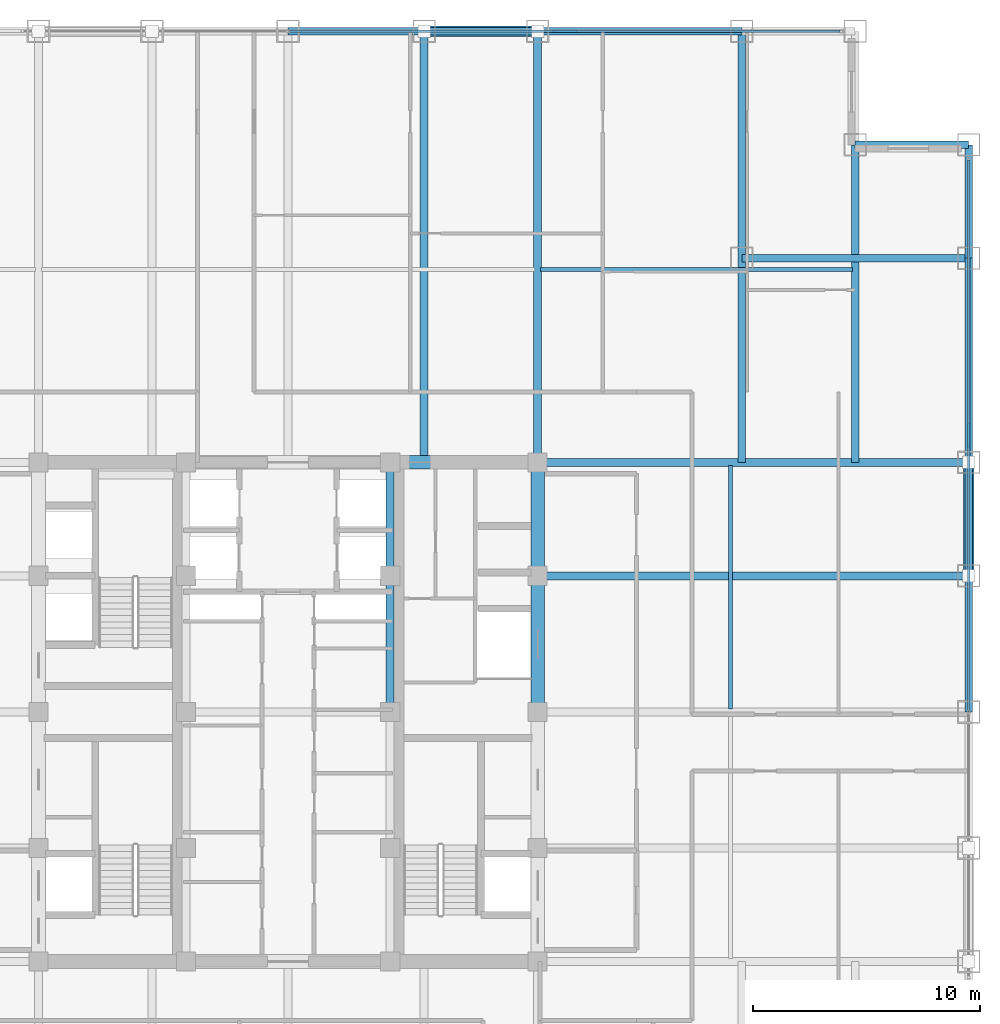
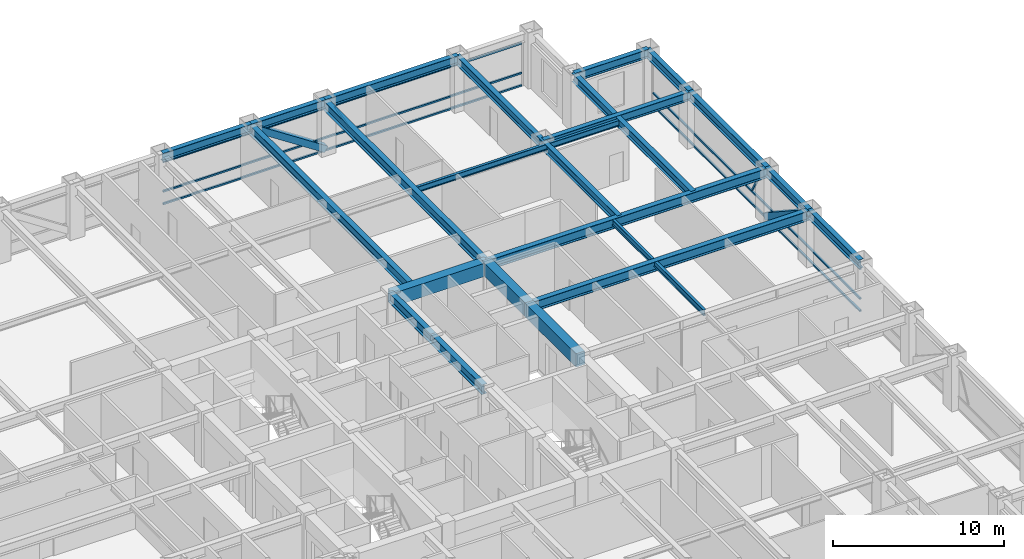
# One storey, part 17 of 25: 22 beams, 10 members, 2 elements without a shape of their own.
"""IFC4 building model written with IfcOpenShell, lengths in metres."""

from ifc_helpers import new_model, si_unit, direction, frame, origin, origin_2d, place, context, subcontext, project, spatial, rectangle, hollow_rectangle, i_section, extrude, source, transform, mapped, material, material_profile, profile_set, type_object, element, aggregate, save


model = new_model("IFC4")

# Units and contexts
model_context = context("Model", 3, precision=1e-05, world=origin(), true_north=direction((0.0, 1.0)))
body_context = subcontext(model_context, "Body", "Model", "MODEL_VIEW")
ifc_project = project(units=[si_unit("LENGTHUNIT", "METRE"), si_unit("AREAUNIT", "SQUARE_METRE"), si_unit("VOLUMEUNIT", "CUBIC_METRE"), si_unit("PLANEANGLEUNIT", "RADIAN"), si_unit("MASSUNIT", "GRAM", prefix="KILO")], contexts=[model_context])

# Site, building, storey
site_placement = place(None, origin())
site = spatial("IfcSite", under=ifc_project, at=site_placement, CompositionType="ELEMENT")
building_placement = place(site_placement, origin())
building = spatial("IfcBuilding", under=site, at=building_placement, Name="Khorayat Bourse Tower", CompositionType="ELEMENT")
storey_placement = place(building_placement, frame((0.0, 0.0, 255.10009765625)))
storey = spatial("IfcBuildingStorey", under=building, at=storey_placement, Name="L60", CompositionType="ELEMENT", Elevation=255.10009765625)

# Beams
ifc_material_1 = material(Name="Steel ASTM A992 Grade 50", Category="steel")
ifc_material_profile_1 = material_profile(ifc_material_1, i_section(OverallWidth=0.35498046875, OverallDepth=0.695068359375, WebThickness=0.015380859375, FlangeThickness=0.02490234375, FilletRadius=0.01806640625, at=origin_2d()), Name="W690X217")
ifc_profile_set_1 = profile_set([ifc_material_profile_1], Name="Steel ASTM A992 Grade 50")
beam_type_1 = type_object("IfcBeamType", Name="BM-GIRD-690", PredefinedType="BEAM", material=ifc_profile_set_1)
shared_shape_1 = source(origin(), body_context, "Body", "SweptSolid", [
    extrude(i_section(OverallWidth=0.35498046875, OverallDepth=0.695068359375, WebThickness=0.015380859375, FlangeThickness=0.02490234375, FilletRadius=0.01806640625, at=origin_2d()), origin(), (0.0, 0.0, 1.0), 5.0),
])
beam_1_placement = place(storey_placement, frame((4.5, 6.0, 3.432373046875), z_axis=(0.0, 1.0, 0.0), x_axis=(-1.0, 0.0, 0.0)))
element("IfcBeam", 1, at=beam_1_placement, inside=storey, type_object=beam_type_1, Name="L60 BM-GIRD-690 BM-L60-CRX-12", PredefinedType="BEAM", context=body_context, shape_type="MappedRepresentation", body=[
    mapped(shared_shape_1, transform((0.0, 0.0, 0.0), scale=1.0)),
])
shared_shape_2 = source(origin(), body_context, "Body", "SweptSolid", [
    extrude(i_section(OverallWidth=0.35498046875, OverallDepth=0.695068359375, WebThickness=0.015380859375, FlangeThickness=0.02490234375, FilletRadius=0.01806640625, at=origin_2d()), origin(), (0.0, 0.0, 1.0), 6.0),
])
beam_2_placement = place(storey_placement, frame((4.5, 0.0, 3.432373046875), z_axis=(0.0, 1.0, 0.0), x_axis=(-1.0, 0.0, 0.0)))
element("IfcBeam", 2, at=beam_2_placement, inside=storey, type_object=beam_type_1, Name="L60 BM-GIRD-690 BM-L60-CRX-11", PredefinedType="BEAM", context=body_context, shape_type="MappedRepresentation", body=[
    mapped(shared_shape_2, transform((0.0, 0.0, 0.0), scale=1.0)),
])
ifc_material_profile_2 = material_profile(ifc_material_1, i_section(OverallWidth=0.324951171875, OverallDepth=0.615966796875, WebThickness=0.013916015625, FlangeThickness=0.021484375, FilletRadius=0.01611328125, at=origin_2d()), Name="W610X174")
ifc_profile_set_2 = profile_set([ifc_material_profile_2], Name="Steel ASTM A992 Grade 50")
beam_type_2 = type_object("IfcBeamType", Name="BM-GIRD-610", PredefinedType="BEAM", material=ifc_profile_set_2)
shared_shape_3 = source(origin(), body_context, "Body", "SweptSolid", [
    extrude(i_section(OverallWidth=0.324951171875, OverallDepth=0.615966796875, WebThickness=0.013916015625, FlangeThickness=0.021484375, FilletRadius=0.01611328125, at=origin_2d()), origin(), (0.0, 0.0, 1.0), 19.0),
])
beam_3_placement = place(storey_placement, frame((20.0, 11.0, 3.471923828125), z_axis=(0.0, 1.0, 0.0), x_axis=(-1.0, 0.0, 0.0)))
element("IfcBeam", 3, at=beam_3_placement, inside=storey, type_object=beam_type_2, Name="L60 BM-GIRD-610 BM-L60-CNRY-087", PredefinedType="BEAM", context=body_context, shape_type="MappedRepresentation", body=[
    mapped(shared_shape_3, transform((0.0, 0.0, 0.0), scale=1.0)),
])
shared_shape_4 = source(origin(), body_context, "Body", "SweptSolid", [
    extrude(i_section(OverallWidth=0.324951171875, OverallDepth=0.615966796875, WebThickness=0.013916015625, FlangeThickness=0.021484375, FilletRadius=0.01611328125, at=origin_2d()), origin(), (0.0, 0.0, 1.0), 10.0),
])
beam_4_placement = place(storey_placement, frame((20.0, 20.0, 3.471923828125), z_axis=(1.0, 0.0, 0.0), x_axis=(0.0, 1.0, 0.0)))
element("IfcBeam", 4, at=beam_4_placement, inside=storey, type_object=beam_type_2, Name="L60 BM-GIRD-610 BM-L60-CNRX-094", PredefinedType="BEAM", context=body_context, shape_type="MappedRepresentation", body=[
    mapped(shared_shape_4, transform((0.0, 0.0, 0.0), scale=1.0)),
])
ifc_material_profile_3 = material_profile(ifc_material_1, i_section(OverallWidth=0.180908203125, OverallDepth=0.4169921875, WebThickness=0.010986328125, FlangeThickness=0.018310546875, FilletRadius=0.011962890625, at=origin_2d()), Name="W410X85")
ifc_profile_set_3 = profile_set([ifc_material_profile_3], Name="Steel ASTM A992 Grade 50")
beam_type_3 = type_object("IfcBeamType", Name="BM-JOIST-410", PredefinedType="JOIST", material=ifc_profile_set_3)
shared_shape_5 = source(origin(), body_context, "Body", "SweptSolid", [
    extrude(i_section(OverallWidth=0.180908203125, OverallDepth=0.4169921875, WebThickness=0.010986328125, FlangeThickness=0.018310546875, FilletRadius=0.011962890625, at=origin_2d()), origin(), (0.0, 0.0, 1.0), 10.740234375),
])
beam_5_placement = place(storey_placement, frame((19.5, 0.1298828125, 3.5712890625), z_axis=(0.0, 1.0, 0.0), x_axis=(-1.0, 0.0, 0.0)))
element("IfcBeam", 5, at=beam_5_placement, inside=storey, type_object=beam_type_3, Name="L60 BM-JOIST-410 BM-L60-JSTY-105", PredefinedType="JOIST", context=body_context, shape_type="MappedRepresentation", body=[
    mapped(shared_shape_5, transform((0.0, 0.0, 0.0), scale=1.0)),
])
ifc_material_profile_4 = material_profile(ifc_material_1, i_section(OverallWidth=0.324951171875, OverallDepth=0.615966796875, WebThickness=0.013916015625, FlangeThickness=0.021484375, FilletRadius=0.01611328125, at=origin_2d()), Name="W610X174")
ifc_profile_set_4 = profile_set([ifc_material_profile_4], Name="Steel ASTM A992 Grade 50")
beam_type_4 = type_object("IfcBeamType", Name="BM-SPAN-610", PredefinedType="SPANDREL", material=ifc_profile_set_4)
shared_shape_6 = source(origin(), body_context, "Body", "SweptSolid", [
    extrude(i_section(OverallWidth=0.324951171875, OverallDepth=0.615966796875, WebThickness=0.013916015625, FlangeThickness=0.021484375, FilletRadius=0.01611328125, at=origin_2d()), origin(), (0.0, 0.0, 1.0), 9.0),
])
for number, where, z_axis, x_axis, name in (
    (6, (30.0, 11.0, 3.471923828125), (0.0, 1.0, 0.0), (-1.0, 0.0, 0.0), "L60 BM-SPAN-610 BM-L60-SPN-040"),
    (7, (11.0, 30.0, 3.471923828125), (1.0, 0.0, 0.0), (0.0, 1.0, 0.0), "L60 BM-SPAN-610 BM-L60-SPN-045"),
):
    element("IfcBeam", number, at=place(storey_placement, frame(where, z_axis=z_axis, x_axis=x_axis)), inside=storey, type_object=beam_type_4, Name=name, PredefinedType="SPANDREL", context=body_context, shape_type="MappedRepresentation", body=[
        mapped(shared_shape_6, transform((0.0, 0.0, 0.0), scale=1.0)),
    ])
shared_shape_7 = source(origin(), body_context, "Body", "SweptSolid", [
    extrude(i_section(OverallWidth=0.324951171875, OverallDepth=0.615966796875, WebThickness=0.013916015625, FlangeThickness=0.021484375, FilletRadius=0.01611328125, at=origin_2d()), origin(), (0.0, 0.0, 1.0), 5.0),
])
for number, where, z_axis, x_axis, name in (
    (8, (30.0, 6.0, 3.471923828125), (0.0, 1.0, 0.0), (-1.0, 0.0, 0.0), "L60 BM-SPAN-610 BM-L60-SPN-039"),
    (9, (30.0, 20.0, 3.471923828125), (0.0, 1.0, 0.0), (-1.0, 0.0, 0.0), "L60 BM-SPAN-610 BM-L60-SPN-041"),
    (10, (25.0, 25.0, 3.471923828125), (1.0, 0.0, 0.0), (0.0, 1.0, 0.0), "L60 BM-SPAN-610 BM-L60-SPN-042"),
    (11, (6.0, 30.0, 3.471923828125), (1.0, 0.0, 0.0), (0.0, 1.0, 0.0), "L60 BM-SPAN-610 BM-L60-SPN-046"),
):
    element("IfcBeam", number, at=place(storey_placement, frame(where, z_axis=z_axis, x_axis=x_axis)), inside=storey, type_object=beam_type_4, Name=name, PredefinedType="SPANDREL", context=body_context, shape_type="MappedRepresentation", body=[
        mapped(shared_shape_7, transform((0.0, 0.0, 0.0), scale=1.0)),
    ])
shared_shape_8 = source(origin(), body_context, "Body", "SweptSolid", [
    extrude(i_section(OverallWidth=0.324951171875, OverallDepth=0.615966796875, WebThickness=0.013916015625, FlangeThickness=0.021484375, FilletRadius=0.01611328125, at=origin_2d()), origin(), (0.0, 0.0, 1.0), 6.0),
])
for number, where, z_axis, x_axis, name in (
    (12, (30.0, 0.0, 3.471923828125), (0.0, 1.0, 0.0), (-1.0, 0.0, 0.0), "L60 BM-SPAN-610 BM-L60-SPN-038"),
    (13, (0.0, 30.0, 3.471923828125), (1.0, 0.0, 0.0), (0.0, 1.0, 0.0), "L60 BM-SPAN-610 BM-L60-SPN-047"),
):
    element("IfcBeam", number, at=place(storey_placement, frame(where, z_axis=z_axis, x_axis=x_axis)), inside=storey, type_object=beam_type_4, Name=name, PredefinedType="SPANDREL", context=body_context, shape_type="MappedRepresentation", body=[
        mapped(shared_shape_8, transform((0.0, 0.0, 0.0), scale=1.0)),
    ])
ifc_material_2 = material(Name="Concrete C60/75", Category="concrete")
ifc_material_profile_5 = material_profile(ifc_material_2, rectangle(XDim=0.60009765625, YDim=0.949951171875, at=origin_2d()), Name="RC 600x950")
ifc_profile_set_5 = profile_set([ifc_material_profile_5], Name="Concrete C60/75")
beam_type_5 = type_object("IfcBeamType", Name="BM-COUP-950", PredefinedType="BEAM", material=ifc_profile_set_5)
shared_shape_9 = source(origin(), body_context, "Body", "SweptSolid", [
    extrude(rectangle(XDim=0.60009765625, YDim=0.949951171875, at=origin_2d()), origin(), (0.0, 0.0, 1.0), 5.0),
])
beam_6_placement = place(storey_placement, frame((11.0, 6.0, 3.304931640625), z_axis=(0.0, 1.0, 0.0), x_axis=(-1.0, 0.0, 0.0)))
element("IfcBeam", 14, at=beam_6_placement, inside=storey, type_object=beam_type_5, Name="L60 BM-COUP-950 BM-L60-CRX-16", PredefinedType="BEAM", context=body_context, shape_type="MappedRepresentation", body=[
    mapped(shared_shape_9, transform((0.0, 0.0, 0.0), scale=1.0)),
])
shared_shape_10 = source(origin(), body_context, "Body", "SweptSolid", [
    extrude(rectangle(XDim=0.60009765625, YDim=0.949951171875, at=origin_2d()), origin(), (0.0, 0.0, 1.0), 6.0),
])
beam_7_placement = place(storey_placement, frame((11.0, 0.0, 3.304931640625), z_axis=(0.0, 1.0, 0.0), x_axis=(-1.0, 0.0, 0.0)))
element("IfcBeam", 15, at=beam_7_placement, inside=storey, type_object=beam_type_5, Name="L60 BM-COUP-950 BM-L60-CRX-15", PredefinedType="BEAM", context=body_context, shape_type="MappedRepresentation", body=[
    mapped(shared_shape_10, transform((0.0, 0.0, 0.0), scale=1.0)),
])
shared_shape_11 = source(origin(), body_context, "Body", "SweptSolid", [
    extrude(rectangle(XDim=0.60009765625, YDim=0.949951171875, at=origin_2d()), origin(), (0.0, 0.0, 1.0), 6.5),
])
beam_8_placement = place(storey_placement, frame((4.5, 11.0, 3.304931640625), z_axis=(1.0, 0.0, 0.0), x_axis=(0.0, 1.0, 0.0)))
element("IfcBeam", 16, at=beam_8_placement, inside=storey, type_object=beam_type_5, Name="L60 BM-COUP-950 BM-L60-CRY-22", PredefinedType="BEAM", context=body_context, shape_type="MappedRepresentation", body=[
    mapped(shared_shape_11, transform((0.0, 0.0, 0.0), scale=1.0)),
])
shared_shape_12 = source(origin(), body_context, "Body", "SweptSolid", [
    extrude(i_section(OverallWidth=0.35498046875, OverallDepth=0.695068359375, WebThickness=0.015380859375, FlangeThickness=0.02490234375, FilletRadius=0.01806640625, at=origin_2d()), origin(), (0.0, 0.0, 1.0), 19.0),
])
for number, where, z_axis, x_axis, name in (
    (17, (6.0, 11.0, 3.432373046875), (0.0, 1.0, 0.0), (-1.0, 0.0, 0.0), "L60 BM-GIRD-690 BM-L60-RADY-070"),
    (18, (11.0, 11.0, 3.432373046875), (0.0, 1.0, 0.0), (-1.0, 0.0, 0.0), "L60 BM-GIRD-690 BM-L60-RADY-072"),
    (19, (11.0, 6.0, 3.432373046875), (1.0, 0.0, 0.0), (0.0, 1.0, 0.0), "L60 BM-GIRD-690 BM-L60-RADX-080"),
    (20, (11.0, 11.0, 3.432373046875), (1.0, 0.0, 0.0), (0.0, 1.0, 0.0), "L60 BM-GIRD-690 BM-L60-RADX-082"),
):
    element("IfcBeam", number, at=place(storey_placement, frame(where, z_axis=z_axis, x_axis=x_axis)), inside=storey, type_object=beam_type_1, Name=name, PredefinedType="BEAM", context=body_context, shape_type="MappedRepresentation", body=[
        mapped(shared_shape_12, transform((0.0, 0.0, 0.0), scale=1.0)),
    ])
shared_shape_13 = source(origin(), body_context, "Body", "SweptSolid", [
    extrude(i_section(OverallWidth=0.324951171875, OverallDepth=0.615966796875, WebThickness=0.013916015625, FlangeThickness=0.021484375, FilletRadius=0.01611328125, at=origin_2d()), origin(), (0.0, 0.0, 1.0), 14.0),
])
beam_9_placement = place(storey_placement, frame((25.0, 11.0, 3.471923828125), z_axis=(0.0, 1.0, 0.0), x_axis=(-1.0, 0.0, 0.0)))
element("IfcBeam", 21, at=beam_9_placement, inside=storey, type_object=beam_type_2, Name="L60 BM-GIRD-610 BM-L60-CNRY-091", PredefinedType="BEAM", context=body_context, shape_type="MappedRepresentation", body=[
    mapped(shared_shape_13, transform((0.0, 0.0, 0.0), scale=1.0)),
])
shared_shape_14 = source(origin(), body_context, "Body", "SweptSolid", [
    extrude(i_section(OverallWidth=0.180908203125, OverallDepth=0.4169921875, WebThickness=0.010986328125, FlangeThickness=0.018310546875, FilletRadius=0.011962890625, at=origin_2d()), origin(), (0.0, 0.0, 1.0), 13.740234375),
])
beam_10_placement = place(storey_placement, frame((11.1298828125, 19.5, 3.5712890625), z_axis=(1.0, 0.0, 0.0), x_axis=(0.0, 1.0, 0.0)))
element("IfcBeam", 22, at=beam_10_placement, inside=storey, type_object=beam_type_3, Name="L60 BM-JOIST-410 BM-L60-JSTX-101", PredefinedType="JOIST", context=body_context, shape_type="MappedRepresentation", body=[
    mapped(shared_shape_14, transform((0.0, 0.0, 0.0), scale=1.0)),
])

# Members
ifc_material_3 = material(Name="Steel EN 10025-4 S460M", Category="steel")
ifc_material_profile_6 = material_profile(ifc_material_3, hollow_rectangle(XDim=0.449951171875, YDim=0.449951171875, WallThickness=0.02490234375, at=origin_2d()), Name="HSS 450x450x25")
ifc_profile_set_6 = profile_set([ifc_material_profile_6], Name="Steel EN 10025-4 S460M")
member_type_1 = type_object("IfcMemberType", Name="MBR-TUBE-450", PredefinedType="BRACE", material=ifc_profile_set_6)
shared_shape_15 = source(origin(), body_context, "Body", "SweptSolid", [
    extrude(hollow_rectangle(XDim=0.449951171875, YDim=0.449951171875, WallThickness=0.02490234375, at=origin_2d()), origin(), (0.0, 0.0, 1.0), 5.979736328125),
])
for number, where, z_axis, x_axis, name in (
    (23, (6.0, 30.0, 3.52978515625), (0.836160261256, 0.0, -0.548485202623), (0.0, 1.0, 0.0), "L60 Perimeter Tube Brace 04"),
    (24, (30.0, 6.0, 3.52978515625), (0.0, 0.836160261256, -0.548485202623), (-1.0, 0.0, 0.0), "L60 Perimeter Tube Brace 08"),
):
    element("IfcMember", number, at=place(storey_placement, frame(where, z_axis=z_axis, x_axis=x_axis)), inside=storey, type_object=member_type_1, Name=name, PredefinedType="BRACE", context=body_context, shape_type="MappedRepresentation", body=[
        mapped(shared_shape_15, transform((0.0, 0.0, 0.0), scale=1.0)),
    ])

# Curtain wall, member
ifc_material_4 = material(Name="Aluminium EN AW-6063 T6", Category="aluminium")
curtain_wall_type = type_object("IfcCurtainWallType", Name="CW-SYS-03", PredefinedType="NOTDEFINED", material=ifc_material_4)
curtain_wall_1_placement = place(storey_placement, origin())
curtain_wall_1 = element("IfcCurtainWall", 25, at=curtain_wall_1_placement, inside=storey, type_object=curtain_wall_type, Name="L60 Curtain Wall CW-L60-N1", PredefinedType="NOTDEFINED")
ifc_material_profile_7 = material_profile(ifc_material_4, hollow_rectangle(XDim=0.1201171875, YDim=0.1201171875, WallThickness=0.0048828125, at=origin_2d()), Name="ALU 120x120x5")
ifc_profile_set_7 = profile_set([ifc_material_profile_7], Name="Aluminium EN AW-6063 T6")
member_type_2 = type_object("IfcMemberType", Name="CWM-DIAG-120", PredefinedType="MULLION", material=ifc_profile_set_7)
shared_shape_16 = source(origin(), body_context, "Body", "SweptSolid", [
    extrude(hollow_rectangle(XDim=0.1201171875, YDim=0.1201171875, WallThickness=0.0048828125, at=origin_2d()), origin(), (0.0, 0.0, 1.0), 2.079345703125),
])
member_1_placement = place(storey_placement, frame((12.67919921875, 30.0, 1.08984375), z_axis=(-0.465760949701, 0.0, 0.884910581773), x_axis=(0.0, -1.0, 0.0)))
member_1 = element("IfcMember", 26, at=member_1_placement, type_object=member_type_2, Name="CW-L60-N1 Faceted Diagonal Mullion 2", PredefinedType="MULLION", context=body_context, shape_type="MappedRepresentation", body=[
    mapped(shared_shape_16, transform((0.0, 0.0, 0.0), scale=1.0)),
])

curtain_wall_2_placement = place(storey_placement, origin())
curtain_wall_2 = element("IfcCurtainWall", 27, at=curtain_wall_2_placement, inside=storey, type_object=curtain_wall_type, Name="L60 Curtain Wall CW-L60-E1", PredefinedType="NOTDEFINED")
member_2_placement = place(storey_placement, frame((30.0, 12.67919921875, 1.08984375), z_axis=(0.0, -0.465760949701, 0.884910581773), x_axis=(1.0, 0.0, 0.0)))
member_2 = element("IfcMember", 28, at=member_2_placement, type_object=member_type_2, Name="CW-L60-E1 Faceted Diagonal Mullion 2", PredefinedType="MULLION", context=body_context, shape_type="MappedRepresentation", body=[
    mapped(shared_shape_16, transform((0.0, 0.0, 0.0), scale=1.0)),
])

# Member
ifc_material_profile_8 = material_profile(ifc_material_4, hollow_rectangle(XDim=0.1201171875, YDim=0.1201171875, WallThickness=0.0048828125, at=origin_2d()), Name="ALU 120x120x5")
ifc_profile_set_8 = profile_set([ifc_material_profile_8], Name="Aluminium EN AW-6063 T6")
member_type_3 = type_object("IfcMemberType", Name="CWT-HORZ-120", PredefinedType="USERDEFINED", material=ifc_profile_set_8)
shared_shape_17 = source(origin(), body_context, "Body", "SweptSolid", [
    extrude(hollow_rectangle(XDim=0.1201171875, YDim=0.1201171875, WallThickness=0.0048828125, at=origin_2d()), origin(), (0.0, 0.0, 1.0), 24.27001953125),
])
member_3_placement = place(storey_placement, frame((0.06005859375, 30.0, 0.059814453125), z_axis=(1.0, 0.0, 0.0), x_axis=(0.0, 1.0, 0.0)))
member_3 = element("IfcMember", 29, at=member_3_placement, type_object=member_type_3, Name="CW-L60-N1 Horizontal Transom 2-1", ObjectType="TRANSOM", PredefinedType="USERDEFINED", context=body_context, shape_type="MappedRepresentation", body=[
    mapped(shared_shape_17, transform((0.0, 0.0, 0.0), scale=1.0)),
])

member_4_placement = place(storey_placement, frame((0.06005859375, 30.0, 0.949951171875), z_axis=(1.0, 0.0, 0.0), x_axis=(0.0, 1.0, 0.0)))
member_4 = element("IfcMember", 30, at=member_4_placement, type_object=member_type_3, Name="CW-L60-N1 Horizontal Transom 2-2", ObjectType="TRANSOM", PredefinedType="USERDEFINED", context=body_context, shape_type="MappedRepresentation", body=[
    mapped(shared_shape_17, transform((0.0, 0.0, 0.0), scale=1.0)),
])

member_5_placement = place(storey_placement, frame((0.06005859375, 30.0, 3.06982421875), z_axis=(1.0, 0.0, 0.0), x_axis=(0.0, 1.0, 0.0)))
member_5 = element("IfcMember", 31, at=member_5_placement, type_object=member_type_3, Name="CW-L60-N1 Horizontal Transom 2-3", ObjectType="TRANSOM", PredefinedType="USERDEFINED", context=body_context, shape_type="MappedRepresentation", body=[
    mapped(shared_shape_17, transform((0.0, 0.0, 0.0), scale=1.0)),
])

aggregate(curtain_wall_1, [member_3, member_4, member_5, member_1])

member_6_placement = place(storey_placement, frame((30.0, 0.06005859375, 0.059814453125), z_axis=(0.0, 1.0, 0.0), x_axis=(-1.0, 0.0, 0.0)))
member_6 = element("IfcMember", 32, at=member_6_placement, type_object=member_type_3, Name="CW-L60-E1 Horizontal Transom 2-1", ObjectType="TRANSOM", PredefinedType="USERDEFINED", context=body_context, shape_type="MappedRepresentation", body=[
    mapped(shared_shape_17, transform((0.0, 0.0, 0.0), scale=1.0)),
])

member_7_placement = place(storey_placement, frame((30.0, 0.06005859375, 0.949951171875), z_axis=(0.0, 1.0, 0.0), x_axis=(-1.0, 0.0, 0.0)))
member_7 = element("IfcMember", 33, at=member_7_placement, type_object=member_type_3, Name="CW-L60-E1 Horizontal Transom 2-2", ObjectType="TRANSOM", PredefinedType="USERDEFINED", context=body_context, shape_type="MappedRepresentation", body=[
    mapped(shared_shape_17, transform((0.0, 0.0, 0.0), scale=1.0)),
])

member_8_placement = place(storey_placement, frame((30.0, 0.06005859375, 3.06982421875), z_axis=(0.0, 1.0, 0.0), x_axis=(-1.0, 0.0, 0.0)))
member_8 = element("IfcMember", 34, at=member_8_placement, type_object=member_type_3, Name="CW-L60-E1 Horizontal Transom 2-3", ObjectType="TRANSOM", PredefinedType="USERDEFINED", context=body_context, shape_type="MappedRepresentation", body=[
    mapped(shared_shape_17, transform((0.0, 0.0, 0.0), scale=1.0)),
])

aggregate(curtain_wall_2, [member_6, member_7, member_8, member_2])

save(model, "model.ifc")
